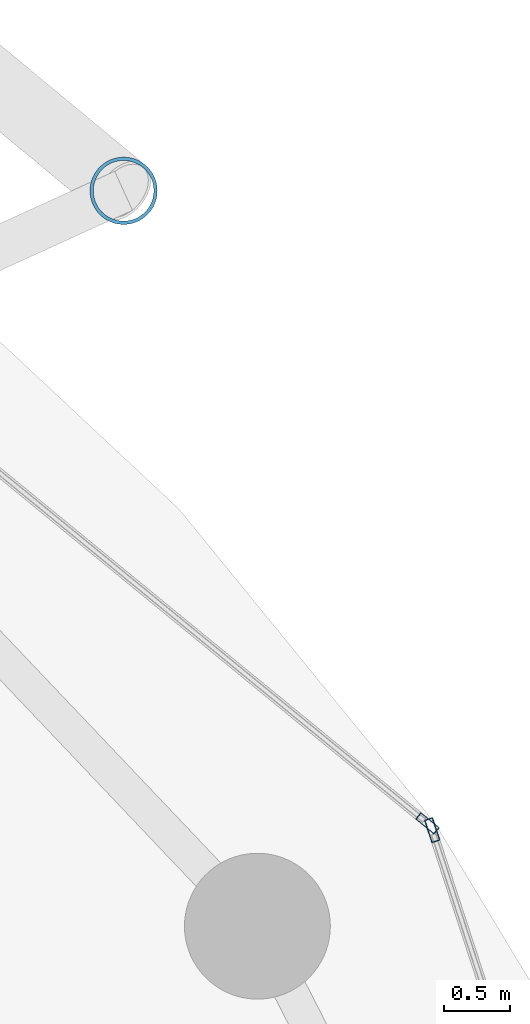
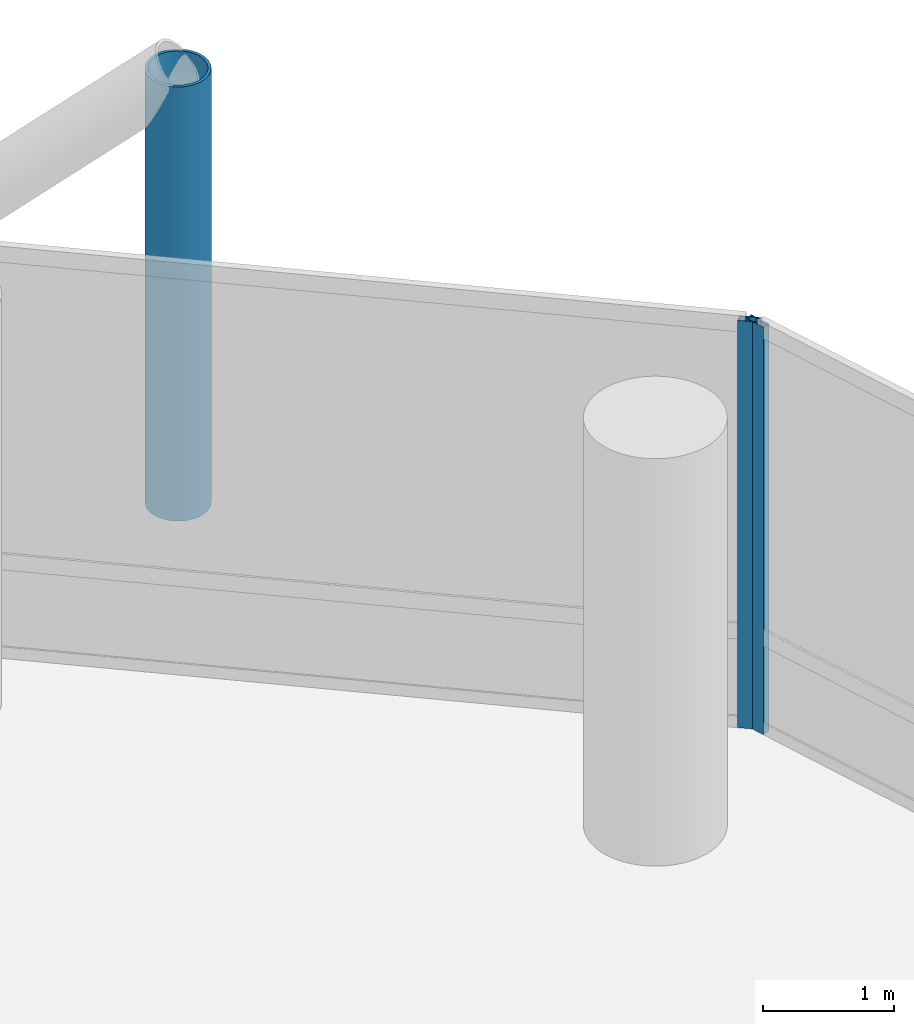
# One storey, part 19 of 25: 3 members, 2 elements without a shape of their own.
"""IFC4 building model written with IfcOpenShell, lengths in metres."""

from ifc_helpers import new_model, si_unit, direction, frame, origin, origin_2d, place, context, subcontext, project, spatial, hollow_rectangle, hollow_circle, extrude, material, layer, layer_set, material_profile, profile_set, type_object, element, aggregate, save


model = new_model("IFC4")

# Units and contexts
model_context = context("Model", 3, precision=1e-05, world=origin(), true_north=direction((0.0, 1.0)))
body_context = subcontext(model_context, "Body", "Model", "MODEL_VIEW")
ifc_project = project(units=[si_unit("LENGTHUNIT", "METRE"), si_unit("AREAUNIT", "SQUARE_METRE"), si_unit("VOLUMEUNIT", "CUBIC_METRE"), si_unit("PLANEANGLEUNIT", "RADIAN"), si_unit("MASSUNIT", "GRAM", prefix="KILO")], contexts=[model_context])

# Site, building, storey
site_placement = place(None, origin())
site = spatial("IfcSite", under=ifc_project, at=site_placement, CompositionType="ELEMENT")
building_placement = place(site_placement, origin())
building = spatial("IfcBuilding", under=site, at=building_placement, Name="Nuhasar Tower", CompositionType="ELEMENT")
storey_placement = place(building_placement, frame((0.0, 0.0, 61.5)))
storey = spatial("IfcBuildingStorey", under=building, at=storey_placement, Name="L14", CompositionType="ELEMENT", Elevation=61.5)

# Curtain wall, member
ifc_material_1 = material(Name="Aluminium 6063-T6", Category="aluminium")
ifc_layer = layer(ifc_material_1, 0.199951171875)
ifc_layer_set = layer_set([ifc_layer], Name="Aluminium 6063-T6")
curtain_wall_type = type_object("IfcCurtainWallType", Name="CW-Z1-OFF", PredefinedType="NOTDEFINED", material=ifc_layer_set)
curtain_wall_1_placement = place(storey_placement, origin())
curtain_wall_1 = element("IfcCurtainWall", 1, at=curtain_wall_1_placement, inside=storey, type_object=curtain_wall_type, Name="L14 Unitised Curtain Wall 01", PredefinedType="NOTDEFINED")
ifc_material_profile_1 = material_profile(ifc_material_1, hollow_rectangle(XDim=0.06494140625, YDim=0.179931640625, WallThickness=0.0048828125, at=origin_2d()), Name="CWM-2")
ifc_profile_set_1 = profile_set([ifc_material_profile_1], Name="Aluminium 6063-T6")
member_type_1 = type_object("IfcMemberType", Name="CW-MUL-S2", PredefinedType="MULLION", material=ifc_profile_set_1)
member_1_placement = place(storey_placement, frame((62.01220703125, 37.649169921875, 0.0), z_axis=(0.0, 0.0, 1.0), x_axis=(-0.950467534571, -0.310823849997, 0.0)))
member_1 = element("IfcMember", 2, at=member_1_placement, type_object=member_type_1, Name="CW-Z1 mullion 2", PredefinedType="MULLION", context=body_context, shape_type="SweptSolid", body=[
    extrude(hollow_rectangle(XDim=0.06494140625, YDim=0.179931640625, WallThickness=0.0048828125, at=origin_2d()), origin(), (0.0, 0.0, 1.0), 3.800048828125),
])
aggregate(curtain_wall_1, [member_1])

curtain_wall_2_placement = place(storey_placement, origin())
curtain_wall_2 = element("IfcCurtainWall", 3, at=curtain_wall_2_placement, inside=storey, type_object=curtain_wall_type, Name="L14 Unitised Curtain Wall 02", PredefinedType="NOTDEFINED")
member_2_placement = place(storey_placement, frame((61.976806640625, 37.70068359375, 0.0), z_axis=(0.0, 0.0, 1.0), x_axis=(-0.633744593376, -0.773542364946, 0.0)))
member_2 = element("IfcMember", 4, at=member_2_placement, type_object=member_type_1, Name="CW-Z1 mullion 1", PredefinedType="MULLION", context=body_context, shape_type="SweptSolid", body=[
    extrude(hollow_rectangle(XDim=0.06494140625, YDim=0.179931640625, WallThickness=0.0048828125, at=origin_2d()), origin(), (0.0, 0.0, 1.0), 3.800048828125),
])
aggregate(curtain_wall_2, [member_2])

# Member
ifc_material_2 = material(Name="Steel S460", Category="steel")
ifc_material_profile_2 = material_profile(ifc_material_2, hollow_circle(Radius=0.25390625, WallThickness=0.025390625, at=origin_2d()), Name="HSS508X25.4")
ifc_profile_set_2 = profile_set([ifc_material_profile_2], Name="Steel S460")
member_type_2 = type_object("IfcMemberType", Name="EXO-BRONZE-508", PredefinedType="BRACE", material=ifc_profile_set_2)
member_3_placement = place(storey_placement, frame((59.68505859375, 42.470947265625, 0.0), z_axis=(0.0, 0.0, 1.0), x_axis=(1.0, 0.0, 0.0)))
element("IfcMember", 5, at=member_3_placement, inside=storey, type_object=member_type_2, Name="L14 Exoskeleton Chord Column EC-02A", PredefinedType="BRACE", context=body_context, shape_type="SweptSolid", body=[
    extrude(hollow_circle(Radius=0.25390625, WallThickness=0.025390625, at=origin_2d()), origin(), (0.0, 0.0, 1.0), 4.050048828125),
])

save(model, "model.ifc")
